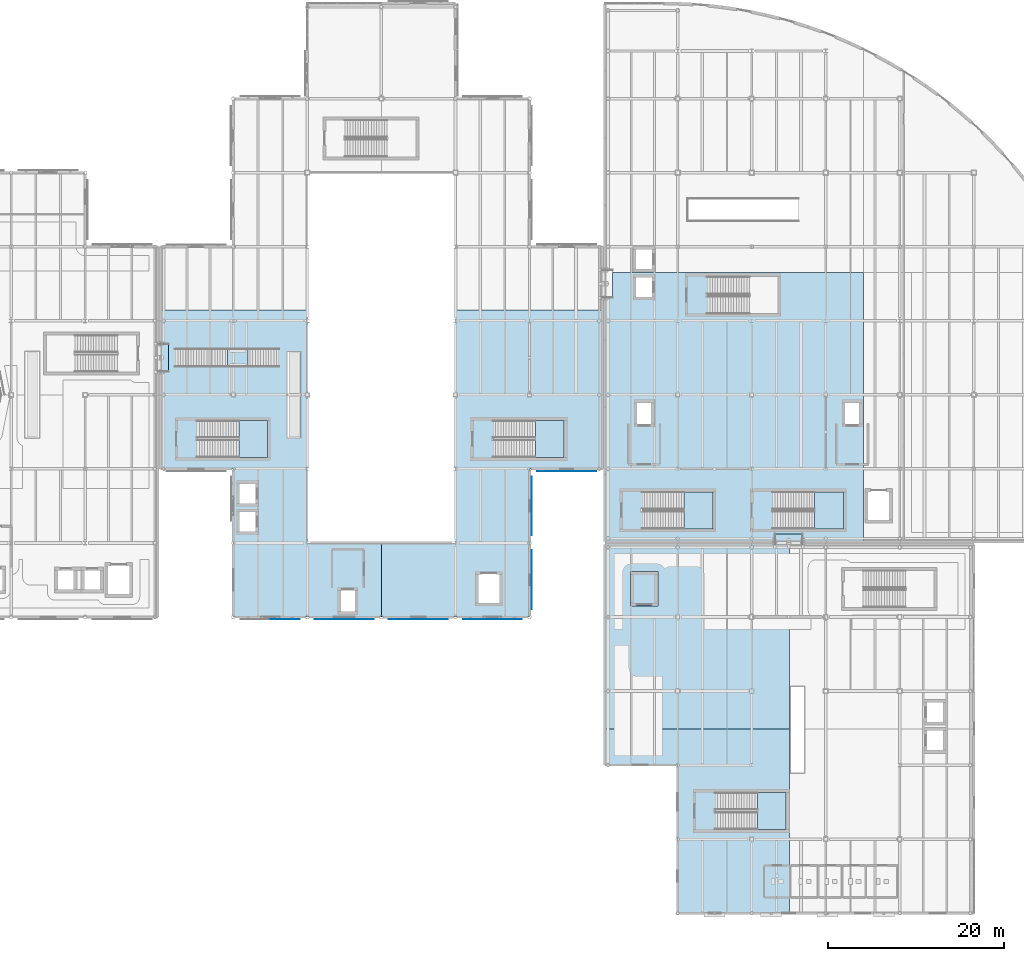
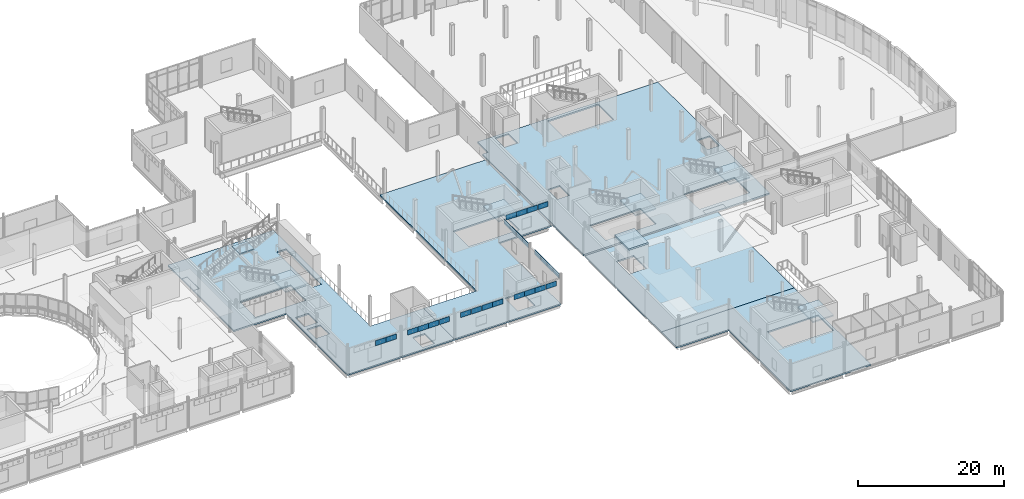
# One storey, part 60 of 104: 26 plates, 14 slabs, 6 elements without a shape of their own.
"""IFC4 building model written with IfcOpenShell, lengths in metres."""

from ifc_helpers import new_model, si_unit, direction, frame, origin, origin_2d, place, context, subcontext, project, spatial, polyline, rectangle, outline, extrude, material, layer, layer_set, type_object, element, aggregate, save


model = new_model("IFC4")

# Units and contexts
model_context = context("Model", 3, precision=1e-05, world=origin(), true_north=direction((0.0, 1.0)))
body_context = subcontext(model_context, "Body", "Model", "MODEL_VIEW")
ifc_project = project(units=[si_unit("LENGTHUNIT", "METRE"), si_unit("AREAUNIT", "SQUARE_METRE"), si_unit("VOLUMEUNIT", "CUBIC_METRE"), si_unit("PLANEANGLEUNIT", "RADIAN"), si_unit("MASSUNIT", "GRAM", prefix="KILO"), si_unit("THERMODYNAMICTEMPERATUREUNIT", "KELVIN")], contexts=[model_context])

# Site, building, storey
site_placement = place(None, origin())
site = spatial("IfcSite", under=ifc_project, at=site_placement, CompositionType="ELEMENT")
building_placement = place(site_placement, origin())
building = spatial("IfcBuilding", under=site, at=building_placement, Name="Lustrewick Department Store", CompositionType="ELEMENT")
storey_placement = place(building_placement, frame((0.0, 0.0, 11.39990234375)))
storey = spatial("IfcBuildingStorey", under=building, at=storey_placement, Name="L03", CompositionType="ELEMENT", Elevation=11.39990234375)

# Slabs
ifc_material_1 = material(Name="Concrete C30", Category="concrete")
ifc_layer_1 = layer(ifc_material_1, 0.239990234375, Name="Concrete C30")
ifc_layer_set_1 = layer_set([ifc_layer_1], Name="Concrete C30")
slab_type_1 = type_object("IfcSlabType", Name="FS03", PredefinedType="FLOOR", material=ifc_layer_set_1)
slab_1_placement = place(storey_placement, frame((0.0, 0.0, -0.239990234375)))
element("IfcSlab", 1, at=slab_1_placement, inside=storey, type_object=slab_type_1, Name="L03 V2 Floor Slab FS03", PredefinedType="FLOOR", context=body_context, shape_type="SweptSolid", body=[
    extrude(outline(polyline([(67.199951171875, 58.800048828125), (67.199951171875, 42.0), (84.0, 42.0), (84.0, 50.39990234375), (75.60009765625, 50.39990234375), (75.60009765625, 76.800048828125), (58.949951171875, 76.800048828125), (58.949951171875, 73.0048828125), (59.8349609375, 73.0048828125), (59.8349609375, 69.794921875), (58.949951171875, 69.794921875), (58.949951171875, 58.800048828125), (67.199951171875, 58.800048828125)]), holes=[polyline([(79.25, 42.449951171875), (79.25, 45.14990234375), (81.14990234375, 45.14990234375), (81.14990234375, 42.449951171875), (79.25, 42.449951171875)]), polyline([(73.35009765625, 62.35009765625), (73.35009765625, 72.050048828125), (74.85009765625, 72.050048828125), (74.85009765625, 62.35009765625), (73.35009765625, 62.35009765625)]), polyline([(63.1201171875, 60.10009765625), (63.1201171875, 64.300048828125), (71.10009765625, 64.300048828125), (71.10009765625, 60.10009765625), (63.1201171875, 60.10009765625)]), polyline([(67.75, 51.550048828125), (67.75, 54.050048828125), (69.85009765625, 54.050048828125), (69.85009765625, 51.550048828125), (67.75, 51.550048828125)]), polyline([(67.75, 54.75), (67.75, 57.25), (69.85009765625, 57.25), (69.85009765625, 54.75), (67.75, 54.75)])]), origin(), (0.0, 0.0, 1.0), 0.239990234375),
])
slab_2_placement = place(storey_placement, frame((0.0, 0.0, -0.239990234375)))
element("IfcSlab", 2, at=slab_2_placement, inside=storey, type_object=slab_type_1, Name="L03 V2 Floor Slab FS03", PredefinedType="FLOOR", context=body_context, shape_type="SweptSolid", body=[
    extrude(outline(polyline([(109.050048828125, 58.800048828125), (109.050048828125, 76.800048828125), (92.39990234375, 76.800048828125), (92.39990234375, 50.39990234375), (84.0, 50.39990234375), (84.0, 42.0), (100.800048828125, 42.0), (100.800048828125, 58.800048828125), (109.050048828125, 58.800048828125)]), holes=[polyline([(96.719970703125, 60.10009765625), (96.719970703125, 64.300048828125), (104.699951171875, 64.300048828125), (104.699951171875, 60.10009765625), (96.719970703125, 60.10009765625)]), polyline([(94.85009765625, 43.449951171875), (94.85009765625, 46.949951171875), (97.550048828125, 46.949951171875), (97.550048828125, 43.449951171875), (94.85009765625, 43.449951171875)])]), origin(), (0.0, 0.0, 1.0), 0.239990234375),
])
slab_3_placement = place(storey_placement, frame((0.0, 0.0, -0.239990234375)))
element("IfcSlab", 3, at=slab_3_placement, inside=storey, type_object=slab_type_1, Name="L03 V3 Floor Slab FS03", PredefinedType="FLOOR", context=body_context, shape_type="SweptSolid", body=[
    extrude(outline(polyline([(117.60009765625, 8.39990234375), (130.27490234375, 8.39990234375), (130.27490234375, 29.324951171875), (109.35009765625, 29.324951171875), (109.35009765625, 25.199951171875), (117.60009765625, 25.199951171875), (117.60009765625, 8.39990234375)]), holes=[polyline([(121.919921875, 17.89990234375), (121.919921875, 22.10009765625), (129.89990234375, 22.10009765625), (129.89990234375, 17.89990234375), (121.919921875, 17.89990234375)])]), origin(), (0.0, 0.0, 1.0), 0.239990234375),
])
slab_4_placement = place(storey_placement, frame((0.0, 0.0, -0.239990234375)))
element("IfcSlab", 4, at=slab_4_placement, inside=storey, type_object=slab_type_1, Name="L03 V3 Floor Slab FS03", PredefinedType="FLOOR", context=body_context, shape_type="SweptSolid", body=[
    extrude(outline(polyline([(109.35009765625, 50.25), (109.35009765625, 29.324951171875), (130.27490234375, 29.324951171875), (130.27490234375, 50.25), (109.35009765625, 50.25)]), holes=[polyline([(112.449951171875, 43.449951171875), (112.449951171875, 46.949951171875), (115.14990234375, 46.949951171875), (115.14990234375, 43.449951171875), (112.449951171875, 43.449951171875)])]), origin(), (0.0, 0.0, 1.0), 0.239990234375),
])
slab_5_placement = place(storey_placement, frame((0.0, 0.0, -0.239990234375)))
element("IfcSlab", 5, at=slab_5_placement, inside=storey, type_object=slab_type_1, Name="L03 V4 Floor Slab FS03", PredefinedType="FLOOR", context=body_context, shape_type="SweptSolid", body=[
    extrude(outline(polyline([(109.35009765625, 50.550048828125), (128.594970703125, 50.550048828125), (128.594970703125, 51.43505859375), (131.804931640625, 51.43505859375), (131.804931640625, 50.550048828125), (138.675048828125, 50.550048828125), (138.675048828125, 81.074951171875), (110.235107421875, 81.074951171875), (110.235107421875, 78.195068359375), (109.35009765625, 78.195068359375), (109.35009765625, 50.550048828125)]), holes=[polyline([(136.449951171875, 63.75), (136.449951171875, 66.449951171875), (138.35009765625, 66.449951171875), (138.35009765625, 63.75), (136.449951171875, 63.75)]), polyline([(128.419921875, 52.0), (128.419921875, 56.199951171875), (136.39990234375, 56.199951171875), (136.39990234375, 52.0), (128.419921875, 52.0)]), polyline([(121.02001953125, 76.39990234375), (121.02001953125, 80.60009765625), (129.0, 80.60009765625), (129.0, 76.39990234375), (121.02001953125, 76.39990234375)]), polyline([(113.6201171875, 52.0), (113.6201171875, 56.199951171875), (121.60009765625, 56.199951171875), (121.60009765625, 52.0), (113.6201171875, 52.0)]), polyline([(112.75, 78.14990234375), (112.75, 80.64990234375), (114.85009765625, 80.64990234375), (114.85009765625, 78.14990234375), (112.75, 78.14990234375)]), polyline([(112.85009765625, 63.75), (112.85009765625, 66.449951171875), (114.75, 66.449951171875), (114.75, 63.75), (112.85009765625, 63.75)])]), origin(), (0.0, 0.0, 1.0), 0.239990234375),
])
ifc_layer_2 = layer(ifc_material_1, 0.215087890625, Name="Concrete C30")
ifc_layer_set_2 = layer_set([ifc_layer_2], Name="Concrete C30")
slab_type_2 = type_object("IfcSlabType", Name="FS10", PredefinedType="FLOOR", material=ifc_layer_set_2)
slab_6_placement = place(storey_placement, frame((0.0, 0.0, -0.21484375)))
element("IfcSlab", 6, at=slab_6_placement, inside=storey, type_object=slab_type_2, Name="L03 Skybridge SB12 Deck Slab", PredefinedType="FLOOR", context=body_context, shape_type="SweptSolid", body=[
    extrude(outline(polyline([(59.830078125, 69.800048828125), (59.830078125, 73.0), (58.955078125, 73.0), (58.955078125, 69.800048828125), (59.830078125, 69.800048828125)])), origin(), (0.0, 0.0, 1.0), 0.21484375),
])
slab_7_placement = place(storey_placement, frame((0.0, 0.0, -0.21484375)))
element("IfcSlab", 7, at=slab_7_placement, inside=storey, type_object=slab_type_2, Name="L03 Skybridge SB34 Deck Slab", PredefinedType="FLOOR", context=body_context, shape_type="SweptSolid", body=[
    extrude(outline(polyline([(131.800048828125, 50.554931640625), (131.800048828125, 51.429931640625), (128.60009765625, 51.429931640625), (128.60009765625, 50.554931640625), (131.800048828125, 50.554931640625)])), origin(), (0.0, 0.0, 1.0), 0.21484375),
])

# Stair, slab
stair_type_1 = type_object("IfcStairType", Name="ST-H51", PredefinedType="HALF_TURN_STAIR", material=ifc_material_1)
stair_1_placement = place(storey_placement, origin())
stair_1 = element("IfcStair", 8, at=stair_1_placement, inside=storey, type_object=stair_type_1, Name="L03 Smoke-Proof Exit Stair ST04", PredefinedType="HALF_TURN_STAIR")
ifc_layer_3 = layer(ifc_material_1, 0.199951171875, Name="Concrete C30")
ifc_layer_set_3 = layer_set([ifc_layer_3], Name="Concrete C30")
slab_type_3 = type_object("IfcSlabType", Name="LS01", PredefinedType="LANDING", material=ifc_layer_set_3)
slab_8_placement = place(storey_placement, frame((0.0, 0.0, 2.35009765625)))
slab_8 = element("IfcSlab", 9, at=slab_8_placement, type_object=slab_type_3, Name="ST-H51 landing 1", PredefinedType="LANDING", context=body_context, shape_type="SweptSolid", body=[
    extrude(outline(polyline([(67.85009765625, 60.10009765625), (71.10009765625, 60.10009765625), (71.10009765625, 64.300048828125), (67.85009765625, 64.300048828125), (67.85009765625, 60.10009765625)])), origin(), (0.0, 0.0, 1.0), 0.199951171875),
])
aggregate(stair_1, [slab_8])

stair_2_placement = place(storey_placement, origin())
stair_2 = element("IfcStair", 10, at=stair_2_placement, inside=storey, type_object=stair_type_1, Name="L03 Smoke-Proof Exit Stair ST05", PredefinedType="HALF_TURN_STAIR")
slab_9_placement = place(storey_placement, frame((0.0, 0.0, 2.35009765625)))
slab_9 = element("IfcSlab", 11, at=slab_9_placement, type_object=slab_type_3, Name="ST-H51 landing 1", PredefinedType="LANDING", context=body_context, shape_type="SweptSolid", body=[
    extrude(outline(polyline([(101.449951171875, 60.10009765625), (104.699951171875, 60.10009765625), (104.699951171875, 64.300048828125), (101.449951171875, 64.300048828125), (101.449951171875, 60.10009765625)])), origin(), (0.0, 0.0, 1.0), 0.199951171875),
])
aggregate(stair_2, [slab_9])

stair_3_placement = place(storey_placement, origin())
stair_3 = element("IfcStair", 12, at=stair_3_placement, inside=storey, type_object=stair_type_1, Name="L03 Smoke-Proof Exit Stair ST07", PredefinedType="HALF_TURN_STAIR")
slab_10_placement = place(storey_placement, frame((0.0, 0.0, 2.35009765625)))
slab_10 = element("IfcSlab", 13, at=slab_10_placement, type_object=slab_type_3, Name="ST-H51 landing 1", PredefinedType="LANDING", context=body_context, shape_type="SweptSolid", body=[
    extrude(outline(polyline([(126.64990234375, 17.89990234375), (129.89990234375, 17.89990234375), (129.89990234375, 22.10009765625), (126.64990234375, 22.10009765625), (126.64990234375, 17.89990234375)])), origin(), (0.0, 0.0, 1.0), 0.199951171875),
])
aggregate(stair_3, [slab_10])

stair_4_placement = place(storey_placement, origin())
stair_4 = element("IfcStair", 14, at=stair_4_placement, inside=storey, type_object=stair_type_1, Name="L03 Smoke-Proof Exit Stair ST09", PredefinedType="HALF_TURN_STAIR")
slab_11_placement = place(storey_placement, frame((0.0, 0.0, 2.35009765625)))
slab_11 = element("IfcSlab", 15, at=slab_11_placement, type_object=slab_type_3, Name="ST-H51 landing 1", PredefinedType="LANDING", context=body_context, shape_type="SweptSolid", body=[
    extrude(outline(polyline([(118.35009765625, 52.0), (121.60009765625, 52.0), (121.60009765625, 56.199951171875), (118.35009765625, 56.199951171875), (118.35009765625, 52.0)])), origin(), (0.0, 0.0, 1.0), 0.199951171875),
])
aggregate(stair_4, [slab_11])

stair_5_placement = place(storey_placement, origin())
stair_5 = element("IfcStair", 16, at=stair_5_placement, inside=storey, type_object=stair_type_1, Name="L03 Smoke-Proof Exit Stair ST11", PredefinedType="HALF_TURN_STAIR")
slab_12_placement = place(storey_placement, frame((0.0, 0.0, 2.35009765625)))
slab_12 = element("IfcSlab", 17, at=slab_12_placement, type_object=slab_type_3, Name="ST-H51 landing 1", PredefinedType="LANDING", context=body_context, shape_type="SweptSolid", body=[
    extrude(outline(polyline([(133.14990234375, 52.0), (136.39990234375, 52.0), (136.39990234375, 56.199951171875), (133.14990234375, 56.199951171875), (133.14990234375, 52.0)])), origin(), (0.0, 0.0, 1.0), 0.199951171875),
])
aggregate(stair_5, [slab_12])

ifc_material_2 = material(Name="Structural steel S355 (Q355B)", Category="steel")
stair_type_2 = type_object("IfcStairType", Name="AST03", PredefinedType="STRAIGHT_RUN_STAIR", material=ifc_material_2)
stair_6_placement = place(storey_placement, origin())
stair_6 = element("IfcStair", 18, at=stair_6_placement, inside=storey, type_object=stair_type_2, Name="L03 Architectural Feature Stair AST03", PredefinedType="STRAIGHT_RUN_STAIR")
slab_13_placement = place(storey_placement, frame((0.0, 0.0, 2.9501953125)))
slab_13 = element("IfcSlab", 19, at=slab_13_placement, type_object=slab_type_3, Name="AST03 landing 1", PredefinedType="LANDING", context=body_context, shape_type="SweptSolid", body=[
    extrude(outline(polyline([(68.8701171875, 70.35009765625), (68.8701171875, 72.449951171875), (66.530029296875, 72.449951171875), (66.530029296875, 70.35009765625), (68.8701171875, 70.35009765625)])), origin(), (0.0, 0.0, 1.0), 0.199951171875),
])
aggregate(stair_6, [slab_13])

# Plates
ifc_material_3 = material(Name="Sage-green enamelled aluminium spandrel 3003-H24", Category="aluminium")
ifc_layer_4 = layer(ifc_material_3, 0.01611328125, Name="Sage-green enamelled aluminium spandrel 3003-H24")
ifc_layer_set_4 = layer_set([ifc_layer_4], Name="Sage-green enamelled aluminium spandrel 3003-H24")
plate_type = type_object("IfcPlateType", Name="PS05", PredefinedType="SHEET", material=ifc_layer_set_4)
for number, where, z_axis, x_axis, name in (
    (20, (72.239990234375, 41.751953125, 3.4111328125), (0.0, 0.0, 1.0), (1.0, 0.0, 0.0), "L03 Botanical Filigree Cassette PS05 0283"),
    (21, (73.919921875, 41.751953125, 3.4111328125), (0.0, 0.0, 1.0), (1.0, 0.0, 0.0), "L03 Botanical Filigree Cassette PS05 0284"),
    (22, (77.280029296875, 41.741943359375, 3.4111328125), (0.0, 0.0, 1.0), (1.0, 0.0, 0.0), "L03 Botanical Filigree Cassette PS05 0285"),
    (23, (78.9599609375, 41.741943359375, 3.4111328125), (0.0, 0.0, 1.0), (1.0, 0.0, 0.0), "L03 Botanical Filigree Cassette PS05 0286"),
    (24, (80.639892578125, 41.741943359375, 3.4111328125), (0.0, 0.0, 1.0), (1.0, 0.0, 0.0), "L03 Botanical Filigree Cassette PS05 0287"),
    (25, (82.320068359375, 41.741943359375, 3.4111328125), (0.0, 0.0, 1.0), (1.0, 0.0, 0.0), "L03 Botanical Filigree Cassette PS05 0288"),
    (26, (85.679931640625, 41.73193359375, 3.4111328125), (0.0, 0.0, 1.0), (1.0, 0.0, 0.0), "L03 Botanical Filigree Cassette PS05 0289"),
    (27, (87.360107421875, 41.73193359375, 3.4111328125), (0.0, 0.0, 1.0), (1.0, 0.0, 0.0), "L03 Botanical Filigree Cassette PS05 0290"),
    (28, (89.0400390625, 41.73193359375, 3.4111328125), (0.0, 0.0, 1.0), (1.0, 0.0, 0.0), "L03 Botanical Filigree Cassette PS05 0291"),
    (29, (90.719970703125, 41.73193359375, 3.4111328125), (0.0, 0.0, 1.0), (1.0, 0.0, 0.0), "L03 Botanical Filigree Cassette PS05 0292"),
    (30, (94.080078125, 41.751953125, 3.4111328125), (0.0, 0.0, 1.0), (1.0, 0.0, 0.0), "L03 Botanical Filigree Cassette PS05 0293"),
    (31, (95.760009765625, 41.751953125, 3.4111328125), (0.0, 0.0, 1.0), (1.0, 0.0, 0.0), "L03 Botanical Filigree Cassette PS05 0294"),
    (32, (97.43994140625, 41.751953125, 3.4111328125), (0.0, 0.0, 1.0), (1.0, 0.0, 0.0), "L03 Botanical Filigree Cassette PS05 0295"),
    (33, (99.1201171875, 41.751953125, 3.4111328125), (0.0, 0.0, 1.0), (1.0, 0.0, 0.0), "L03 Botanical Filigree Cassette PS05 0296"),
    (34, (101.05810546875, 43.687255859375, 3.56689453125), (0.0, 0.0, 1.0), (0.0, 1.0, 0.0), "L03 Botanical Filigree Cassette PS05 0297"),
    (35, (101.05810546875, 45.3671875, 3.56689453125), (0.0, 0.0, 1.0), (0.0, 1.0, 0.0), "L03 Botanical Filigree Cassette PS05 0298"),
    (36, (101.05810546875, 47.04736328125, 3.56689453125), (0.0, 0.0, 1.0), (0.0, 1.0, 0.0), "L03 Botanical Filigree Cassette PS05 0299"),
    (37, (101.05810546875, 48.727294921875, 3.56689453125), (0.0, 0.0, 1.0), (0.0, 1.0, 0.0), "L03 Botanical Filigree Cassette PS05 0300"),
    (38, (101.068115234375, 52.07275390625, 3.56689453125), (0.0, 0.0, 1.0), (0.0, 1.0, 0.0), "L03 Botanical Filigree Cassette PS05 0301"),
    (39, (101.068115234375, 53.752685546875, 3.56689453125), (0.0, 0.0, 1.0), (0.0, 1.0, 0.0), "L03 Botanical Filigree Cassette PS05 0302"),
    (40, (101.068115234375, 55.4326171875, 3.56689453125), (0.0, 0.0, 1.0), (0.0, 1.0, 0.0), "L03 Botanical Filigree Cassette PS05 0303"),
    (41, (101.068115234375, 57.11279296875, 3.56689453125), (0.0, 0.0, 1.0), (0.0, 1.0, 0.0), "L03 Botanical Filigree Cassette PS05 0304"),
    (42, (102.50390625, 58.531982421875, 3.56689453125), (0.0, 0.0, 1.0), (1.0, 0.0, 0.0), "L03 Botanical Filigree Cassette PS05 0305"),
    (43, (104.18408203125, 58.531982421875, 3.56689453125), (0.0, 0.0, 1.0), (1.0, 0.0, 0.0), "L03 Botanical Filigree Cassette PS05 0306"),
    (44, (105.864013671875, 58.531982421875, 3.56689453125), (0.0, 0.0, 1.0), (1.0, 0.0, 0.0), "L03 Botanical Filigree Cassette PS05 0307"),
    (45, (107.5439453125, 58.531982421875, 3.56689453125), (0.0, 0.0, 1.0), (1.0, 0.0, 0.0), "L03 Botanical Filigree Cassette PS05 0308"),
):
    element("IfcPlate", number, at=place(storey_placement, frame(where, z_axis=z_axis, x_axis=x_axis)), inside=storey, type_object=plate_type, Name=name, PredefinedType="SHEET", context=body_context, shape_type="SweptSolid", body=[
        extrude(rectangle(XDim=1.639892578125, YDim=0.01611328125, at=origin_2d()), origin(), (0.0, 0.0, 1.0), 0.840087890625),
    ])

# Slab
ifc_material_4 = material(Name="Concrete C35", Category="concrete")
ifc_layer_5 = layer(ifc_material_4, 0.26806640625, Name="Concrete C35")
ifc_layer_set_5 = layer_set([ifc_layer_5], Name="Concrete C35")
slab_type_4 = type_object("IfcSlabType", Name="RS02", PredefinedType="ROOF", material=ifc_layer_set_5)
slab_14_placement = place(storey_placement, frame((0.0, 0.0, 4.09521484375)))
element("IfcSlab", 46, at=slab_14_placement, inside=storey, type_object=slab_type_4, Name="L03 Lift GL-03 Overrun Cap Slab", PredefinedType="ROOF", context=body_context, shape_type="SweptSolid", body=[
    extrude(outline(polyline([(115.360107421875, 43.239990234375), (115.360107421875, 47.159912109375), (112.239990234375, 47.159912109375), (112.239990234375, 43.239990234375), (115.360107421875, 43.239990234375)])), origin(), (0.0, 0.0, 1.0), 0.267822265625),
])

save(model, "model.ifc")
